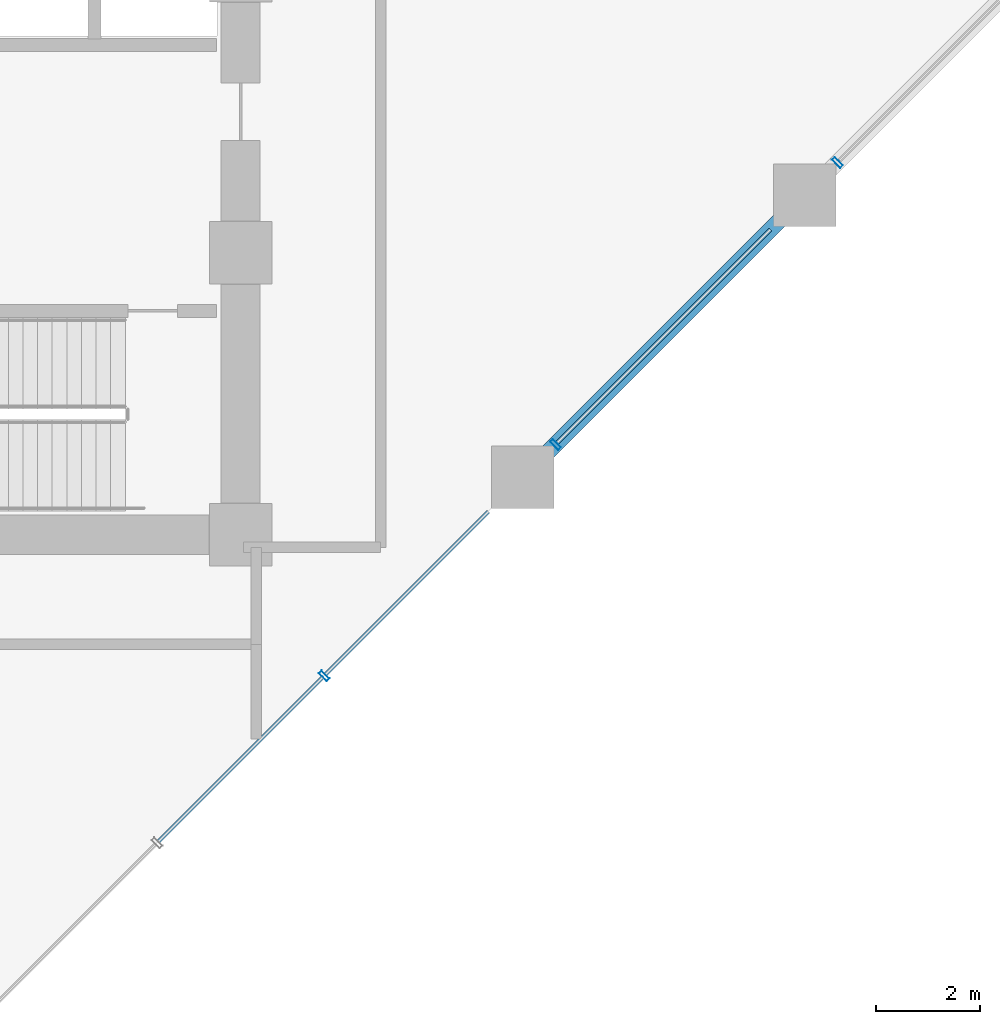
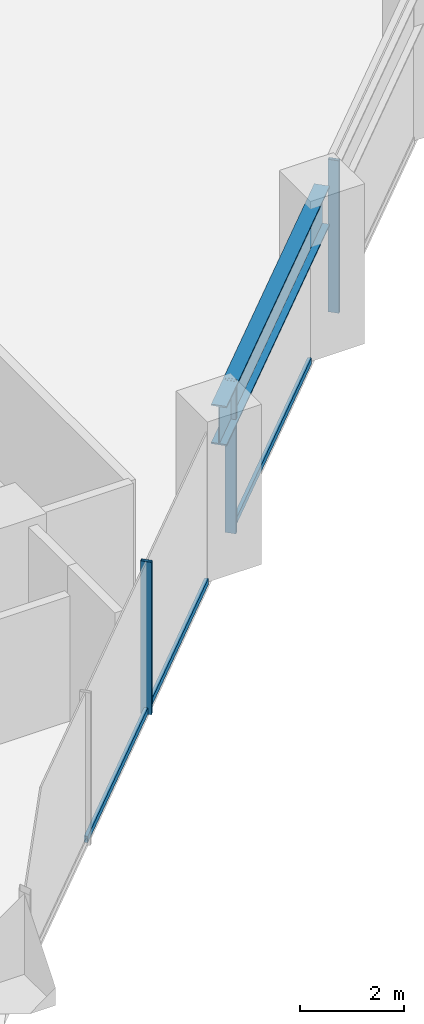
# One storey, part 8 of 27: 6 members, 1 beam, 1 element without a shape of its own.
"""IFC4 building model written with IfcOpenShell, lengths in metres."""

from ifc_helpers import new_model, si_unit, direction, frame, origin, origin_2d, place, context, subcontext, project, spatial, hollow_rectangle, i_section, extrude, material, layer, layer_set, material_profile, profile_set, type_object, element, aggregate, save


model = new_model("IFC4")

# Units and contexts
model_context = context("Model", 3, precision=1e-05, world=origin(), true_north=direction((0.0, 1.0)))
body_context = subcontext(model_context, "Body", "Model", "MODEL_VIEW")
ifc_project = project(units=[si_unit("LENGTHUNIT", "METRE"), si_unit("AREAUNIT", "SQUARE_METRE"), si_unit("VOLUMEUNIT", "CUBIC_METRE"), si_unit("PLANEANGLEUNIT", "RADIAN"), si_unit("MASSUNIT", "GRAM", prefix="KILO")], contexts=[model_context])

# Site, building, storey
site_placement = place(None, origin())
site = spatial("IfcSite", under=ifc_project, at=site_placement, CompositionType="ELEMENT")
building_placement = place(site_placement, origin())
building = spatial("IfcBuilding", under=site, at=building_placement, Name="Surkhivell Harbour Commons", CompositionType="ELEMENT")
storey_placement = place(building_placement, frame((0.0, 0.0, 56.25)))
storey = spatial("IfcBuildingStorey", under=building, at=storey_placement, Name="L14", CompositionType="ELEMENT", Elevation=56.25)

# Beam
ifc_material_1 = material(Name="Steel S460", Category="steel")
ifc_material_profile_1 = material_profile(ifc_material_1, i_section(OverallWidth=0.30810546875, OverallDepth=0.927001953125, WebThickness=0.01953125, FlangeThickness=0.031982421875, at=origin_2d()), Name="UB914x305x289")
ifc_profile_set_1 = profile_set([ifc_material_profile_1], Name="Steel S460")
beam_type = type_object("IfcBeamType", Name="BM-SPN-914B", PredefinedType="SPANDREL", material=ifc_profile_set_1)
beam_placement = place(storey_placement, frame((16.199951171875, -9.699951171875, 3.1064453125), z_axis=(0.707122765516, 0.707090796496, 0.0), x_axis=(-0.707090796496, 0.707122765516, 0.0)))
element("IfcBeam", 1, at=beam_placement, inside=storey, type_object=beam_type, Name="L14 Tube Spandrel (16.2,-9.7)", PredefinedType="SPANDREL", context=body_context, shape_type="SweptSolid", body=[
    extrude(i_section(OverallWidth=0.30810546875, OverallDepth=0.927001953125, WebThickness=0.01953125, FlangeThickness=0.031982421875, at=origin_2d()), origin(), (0.0, 0.0, 1.0), 7.63671875),
])

# Curtain wall, members
ifc_material_2 = material(Name="Anodised pale-metal aluminium and insulated glazing", Category="aluminium")
ifc_layer = layer(ifc_material_2, 0.219970703125)
ifc_layer_set = layer_set([ifc_layer], Name="Anodised pale-metal aluminium and insulated glazing")
curtain_wall_type = type_object("IfcCurtainWallType", Name="CW-SYS-Z1", PredefinedType="NOTDEFINED", material=ifc_layer_set)
curtain_wall_placement = place(storey_placement, origin())
curtain_wall = element("IfcCurtainWall", 2, at=curtain_wall_placement, inside=storey, type_object=curtain_wall_type, Name="L14 Curtain Wall CW-L14-E01", PredefinedType="NOTDEFINED")
ifc_material_3 = material(Name="Anodised pale-metal aluminium alloy 6063-T6", Category="aluminium")
ifc_material_profile_2 = material_profile(ifc_material_3, hollow_rectangle(XDim=0.074951171875, YDim=0.219970703125, WallThickness=0.00390625, at=origin_2d()), Name="ALU-MULL-75x220")
ifc_profile_set_2 = profile_set([ifc_material_profile_2], Name="Anodised pale-metal aluminium alloy 6063-T6")
member_type_1 = type_object("IfcMemberType", Name="CWM-220", PredefinedType="MULLION", material=ifc_profile_set_2)
member_1_placement = place(storey_placement, frame((12.3994140625, -13.50048828125, 0.0), z_axis=(0.0, 0.0, 1.0), x_axis=(0.707106781187, 0.707106781187, 0.0)))
member_1 = element("IfcMember", 3, at=member_1_placement, type_object=member_type_1, Name="CW-Z1 mullion 4", PredefinedType="MULLION", context=body_context, shape_type="SweptSolid", body=[
    extrude(hollow_rectangle(XDim=0.074951171875, YDim=0.219970703125, WallThickness=0.00390625, at=origin_2d()), origin(), (0.0, 0.0, 1.0), 3.570068359375),
])
member_2_placement = place(storey_placement, frame((16.828369140625, -9.07177734375, 0.0), z_axis=(0.0, 0.0, 1.0), x_axis=(0.707106781187, 0.707106781187, 0.0)))
member_2 = element("IfcMember", 4, at=member_2_placement, type_object=member_type_1, Name="CW-Z1 mullion 5", PredefinedType="MULLION", context=body_context, shape_type="SweptSolid", body=[
    extrude(hollow_rectangle(XDim=0.074951171875, YDim=0.219970703125, WallThickness=0.00390625, at=origin_2d()), origin(), (0.0, 0.0, 1.0), 3.570068359375),
])
member_3_placement = place(storey_placement, frame((22.228271484375, -3.671630859375, 0.0), z_axis=(0.0, 0.0, 1.0), x_axis=(0.707106781187, 0.707106781187, 0.0)))
member_3 = element("IfcMember", 5, at=member_3_placement, type_object=member_type_1, Name="CW-Z1 mullion 6", PredefinedType="MULLION", context=body_context, shape_type="SweptSolid", body=[
    extrude(hollow_rectangle(XDim=0.074951171875, YDim=0.219970703125, WallThickness=0.00390625, at=origin_2d()), origin(), (0.0, 0.0, 1.0), 3.570068359375),
])
ifc_material_profile_3 = material_profile(ifc_material_3, hollow_rectangle(XDim=0.074951171875, YDim=0.14990234375, WallThickness=0.00341796875, at=origin_2d()), Name="ALU-TRAN-75x150")
ifc_profile_set_3 = profile_set([ifc_material_profile_3], Name="Anodised pale-metal aluminium alloy 6063-T6")
member_type_2 = type_object("IfcMemberType", Name="CWT-150", PredefinedType="USERDEFINED", material=ifc_profile_set_3)
member_4_placement = place(storey_placement, frame((9.22705078125, -16.6728515625, 0.074951171875), z_axis=(0.707106781187, 0.707106781187, 0.0), x_axis=(-0.707106781187, 0.707106781187, 0.0)))
member_4 = element("IfcMember", 6, at=member_4_placement, type_object=member_type_2, Name="CW-Z1 transom 3.1", ObjectType="TRANSOM", PredefinedType="USERDEFINED", context=body_context, shape_type="SweptSolid", body=[
    extrude(hollow_rectangle(XDim=0.074951171875, YDim=0.14990234375, WallThickness=0.00341796875, at=origin_2d()), origin(), (0.0, 0.0, 1.0), 4.44873046875),
])
member_5_placement = place(storey_placement, frame((12.426025390625, -13.47412109375, 0.074951171875), z_axis=(0.707079108482, 0.707134452808, 0.0), x_axis=(-0.707134452808, 0.707079108482, 0.0)))
member_5 = element("IfcMember", 7, at=member_5_placement, type_object=member_type_2, Name="CW-Z1 transom 4.1", ObjectType="TRANSOM", PredefinedType="USERDEFINED", context=body_context, shape_type="SweptSolid", body=[
    extrude(hollow_rectangle(XDim=0.074951171875, YDim=0.14990234375, WallThickness=0.00341796875, at=origin_2d()), origin(), (0.0, 0.0, 1.0), 4.411376953125),
])
member_6_placement = place(storey_placement, frame((16.854736328125, -9.045166015625, 0.074951171875), z_axis=(0.707127882868, 0.707085678876, 0.0), x_axis=(-0.707085678876, 0.707127882868, 0.0)))
member_6 = element("IfcMember", 8, at=member_6_placement, type_object=member_type_2, Name="CW-Z1 transom 5.1", ObjectType="TRANSOM", PredefinedType="USERDEFINED", context=body_context, shape_type="SweptSolid", body=[
    extrude(hollow_rectangle(XDim=0.074951171875, YDim=0.14990234375, WallThickness=0.00341796875, at=origin_2d()), origin(), (0.0, 0.0, 1.0), 5.78466796875),
])
aggregate(curtain_wall, [member_1, member_4, member_5, member_2, member_6, member_3])

save(model, "model.ifc")
